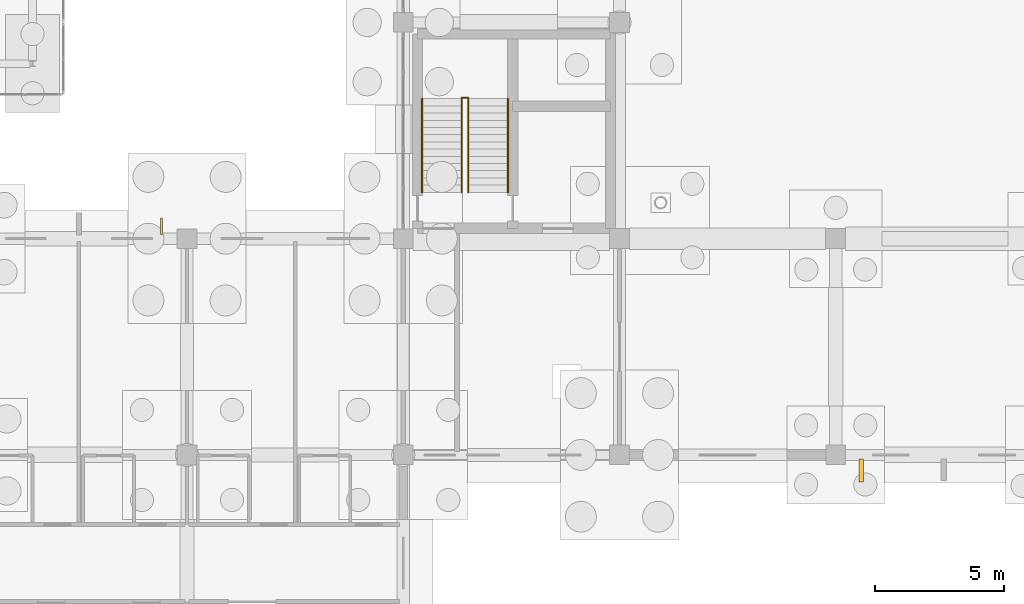
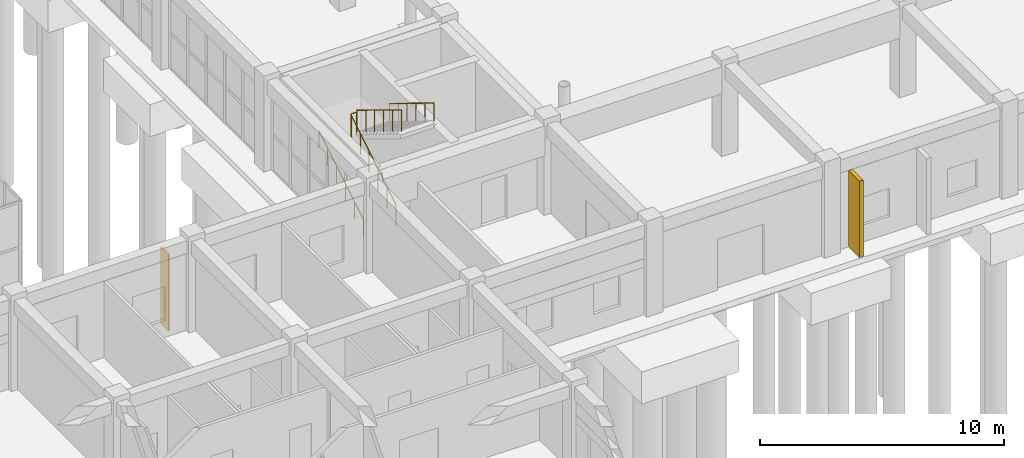
# One storey, part 188 of 192: 5 railings, 2 shading devices.
"""IFC4 building model written with IfcOpenShell, lengths in metres."""

from ifc_helpers import new_model, si_unit, direction, frame, origin, origin_2d, place, context, subcontext, project, spatial, rectangle, circle, extrude, material, type_object, element, save


model = new_model("IFC4")

# Units and contexts
model_context = context("Model", 3, precision=1e-05, world=origin(), true_north=direction((0.0, 1.0)))
body_context = subcontext(model_context, "Body", "Model", "MODEL_VIEW")
ifc_project = project(units=[si_unit("LENGTHUNIT", "METRE"), si_unit("AREAUNIT", "SQUARE_METRE"), si_unit("VOLUMEUNIT", "CUBIC_METRE"), si_unit("PLANEANGLEUNIT", "RADIAN"), si_unit("MASSUNIT", "GRAM", prefix="KILO")], contexts=[model_context])

# Site, building, storey
site_placement = place(None, origin())
site = spatial("IfcSite", under=ifc_project, at=site_placement, CompositionType="ELEMENT")
building_placement = place(site_placement, origin())
building = spatial("IfcBuilding", under=site, at=building_placement, Name="Trelvath General Hospital", CompositionType="ELEMENT")
storey_placement = place(building_placement, origin())
storey = spatial("IfcBuildingStorey", under=building, at=storey_placement, Name="L00", CompositionType="ELEMENT", Elevation=0.0)

# Shading device
ifc_material_1 = material(Name="Precast concrete C40/50", Category="concrete")
shading_device_type_1 = type_object("IfcShadingDeviceType", Name="BriseSoleil PrecastFin900", PredefinedType="JALOUSIE", material=ifc_material_1)
shading_device_1_placement = place(storey_placement, frame((152.18701171875, 16.195068359375, 0.0), z_axis=(0.0, 0.0, 1.0), x_axis=(0.0, -1.0, 0.0)))
element("IfcShadingDevice", 1, at=shading_device_1_placement, inside=storey, type_object=shading_device_type_1, Name="Solar Brise-Soleil Screen L00-15", PredefinedType="JALOUSIE", context=body_context, shape_type="SweptSolid", body=[
    extrude(rectangle(XDim=0.89990234375, YDim=0.179931640625, at=origin_2d()), origin(), (0.0, 0.0, 1.0), 3.820068359375),
])

# Railings
ifc_material_2 = material(Name="Architectural painted steel", Category="steel")
railing_type_1 = type_object("IfcRailingType", Name="Guardrail Terrace1150", PredefinedType="GUARDRAIL", material=ifc_material_2)
railing_1_placement = place(storey_placement, frame((136.929931640625, 30.639892578125, 2.5712890625)))
element("IfcRailing", 2, at=railing_1_placement, inside=storey, type_object=railing_type_1, Name="Stair Rail ST7 L00 F2 L 230", PredefinedType="GUARDRAIL", context=body_context, shape_type="SweptSolid", body=[
    extrude(circle(Radius=0.02392578125, at=origin_2d()), frame((0.0, 0.0, 1.076171875), z_axis=(0.0, -0.852824790078, 0.522197163366), x_axis=(1.0, 0.0, 0.0)), (0.0, 0.0, 1.0), 4.26806640625),
    extrude(circle(Radius=0.02099609375, at=origin_2d()), origin(), (0.0, 0.0, 1.0), 1.050048828125),
    extrude(circle(Radius=0.02099609375, at=origin_2d()), frame((0.0, -0.72802734375, 0.44580078125)), (0.0, 0.0, 1.0), 1.050048828125),
    extrude(circle(Radius=0.02099609375, at=origin_2d()), frame((0.0, -1.4560546875, 0.8916015625)), (0.0, 0.0, 1.0), 1.050048828125),
    extrude(circle(Radius=0.02099609375, at=origin_2d()), frame((0.0, -2.183837890625, 1.337158203125)), (0.0, 0.0, 1.0), 1.050048828125),
    extrude(circle(Radius=0.02099609375, at=origin_2d()), frame((0.0, -2.911865234375, 1.782958984375)), (0.0, 0.0, 1.0), 1.050048828125),
    extrude(circle(Radius=0.02099609375, at=origin_2d()), frame((0.0, -3.639892578125, 2.228759765625)), (0.0, 0.0, 1.0), 1.050048828125),
])
railing_2_placement = place(storey_placement, frame((136.669921875, 27.0, 0.17138671875)))
element("IfcRailing", 3, at=railing_2_placement, inside=storey, type_object=railing_type_1, Name="Stair Rail ST7 L00 F1 R 231", PredefinedType="GUARDRAIL", context=body_context, shape_type="SweptSolid", body=[
    extrude(circle(Radius=0.02392578125, at=origin_2d()), frame((0.0, 0.0, 1.076171875), z_axis=(0.0, 0.852850264322, 0.5221555579), x_axis=(-1.0, 0.0, 0.0)), (0.0, 0.0, 1.0), 4.267822265625),
    extrude(circle(Radius=0.02099609375, at=origin_2d()), origin(), (0.0, 0.0, 1.0), 1.050048828125),
    extrude(circle(Radius=0.02099609375, at=origin_2d()), frame((0.0, 0.72802734375, 0.44580078125)), (0.0, 0.0, 1.0), 1.050048828125),
    extrude(circle(Radius=0.02099609375, at=origin_2d()), frame((0.0, 1.4560546875, 0.891357421875)), (0.0, 0.0, 1.0), 1.050048828125),
    extrude(circle(Radius=0.02099609375, at=origin_2d()), frame((0.0, 2.183837890625, 1.337158203125)), (0.0, 0.0, 1.0), 1.050048828125),
    extrude(circle(Radius=0.02099609375, at=origin_2d()), frame((0.0, 2.911865234375, 1.78271484375)), (0.0, 0.0, 1.0), 1.050048828125),
    extrude(circle(Radius=0.02099609375, at=origin_2d()), frame((0.0, 3.639892578125, 2.228515625)), (0.0, 0.0, 1.0), 1.050048828125),
])
railing_3_placement = place(storey_placement, frame((136.669921875, 30.679931640625, 2.39990234375)))
element("IfcRailing", 4, at=railing_3_placement, inside=storey, type_object=railing_type_1, Name="Half-Landing Well Guard ST7 L00 233", PredefinedType="GUARDRAIL", context=body_context, shape_type="SweptSolid", body=[
    extrude(circle(Radius=0.02392578125, at=origin_2d()), frame((0.0, 0.0, 1.1259765625), z_axis=(1.0, 0.0, 0.0), x_axis=(0.0, 1.0, 0.0)), (0.0, 0.0, 1.0), 0.260009765625),
    extrude(circle(Radius=0.02099609375, at=origin_2d()), origin(), (0.0, 0.0, 1.0), 1.099853515625),
    extrude(circle(Radius=0.02099609375, at=origin_2d()), frame((0.260009765625, 0.0, 0.0)), (0.0, 0.0, 1.0), 1.099853515625),
])
ifc_material_3 = material(Name="Brushed stainless steel", Category="steel")
railing_type_2 = type_object("IfcRailingType", Name="Handrail Stair900", PredefinedType="HANDRAIL", material=ifc_material_3)
railing_4_placement = place(storey_placement, frame((135.1298828125, 27.0, 0.17138671875)))
element("IfcRailing", 5, at=railing_4_placement, inside=storey, type_object=railing_type_2, Name="Stair Rail ST7 L00 F1 L 229", PredefinedType="HANDRAIL", context=body_context, shape_type="SweptSolid", body=[
    extrude(circle(Radius=0.02392578125, at=origin_2d()), frame((0.0, 0.0, 0.8759765625), z_axis=(0.0, 0.852850264322, 0.5221555579), x_axis=(-1.0, 0.0, 0.0)), (0.0, 0.0, 1.0), 4.267822265625),
    extrude(circle(Radius=0.02099609375, at=origin_2d()), origin(), (0.0, 0.0, 1.0), 0.849853515625),
    extrude(circle(Radius=0.02099609375, at=origin_2d()), frame((0.0, 0.72802734375, 0.44580078125)), (0.0, 0.0, 1.0), 0.849853515625),
    extrude(circle(Radius=0.02099609375, at=origin_2d()), frame((0.0, 1.4560546875, 0.891357421875)), (0.0, 0.0, 1.0), 0.849853515625),
    extrude(circle(Radius=0.02099609375, at=origin_2d()), frame((0.0, 2.183837890625, 1.337158203125)), (0.0, 0.0, 1.0), 0.849853515625),
    extrude(circle(Radius=0.02099609375, at=origin_2d()), frame((0.0, 2.911865234375, 1.78271484375)), (0.0, 0.0, 1.0), 0.849853515625),
    extrude(circle(Radius=0.02099609375, at=origin_2d()), frame((0.0, 3.639892578125, 2.228515625)), (0.0, 0.0, 1.0), 0.849853515625),
])
railing_5_placement = place(storey_placement, frame((138.469970703125, 30.639892578125, 2.5712890625)))
element("IfcRailing", 6, at=railing_5_placement, inside=storey, type_object=railing_type_2, Name="Stair Rail ST7 L00 F2 R 232", PredefinedType="HANDRAIL", context=body_context, shape_type="SweptSolid", body=[
    extrude(circle(Radius=0.02392578125, at=origin_2d()), frame((0.0, 0.0, 0.8759765625), z_axis=(0.0, -0.852824790078, 0.522197163366), x_axis=(1.0, 0.0, 0.0)), (0.0, 0.0, 1.0), 4.26806640625),
    extrude(circle(Radius=0.02099609375, at=origin_2d()), origin(), (0.0, 0.0, 1.0), 0.849853515625),
    extrude(circle(Radius=0.02099609375, at=origin_2d()), frame((0.0, -0.72802734375, 0.44580078125)), (0.0, 0.0, 1.0), 0.849853515625),
    extrude(circle(Radius=0.02099609375, at=origin_2d()), frame((0.0, -1.4560546875, 0.8916015625)), (0.0, 0.0, 1.0), 0.849853515625),
    extrude(circle(Radius=0.02099609375, at=origin_2d()), frame((0.0, -2.183837890625, 1.337158203125)), (0.0, 0.0, 1.0), 0.849853515625),
    extrude(circle(Radius=0.02099609375, at=origin_2d()), frame((0.0, -2.911865234375, 1.782958984375)), (0.0, 0.0, 1.0), 0.849853515625),
    extrude(circle(Radius=0.02099609375, at=origin_2d()), frame((0.0, -3.639892578125, 2.228759765625)), (0.0, 0.0, 1.0), 0.849853515625),
])

# Shading device
ifc_material_4 = material(Name="Anodised aluminium", Category="aluminium")
shading_device_type_2 = type_object("IfcShadingDeviceType", Name="SolarScreen PerforatedAlu", PredefinedType="JALOUSIE", material=ifc_material_4)
shading_device_2_placement = place(storey_placement, frame((125.012939453125, 25.679931640625, 0.0), z_axis=(0.0, 0.0, 1.0), x_axis=(0.0, 1.0, 0.0)))
element("IfcShadingDevice", 7, at=shading_device_2_placement, inside=storey, type_object=shading_device_type_2, Name="Solar Brise-Soleil Screen L00-13", PredefinedType="JALOUSIE", context=body_context, shape_type="SweptSolid", body=[
    extrude(rectangle(XDim=0.64990234375, YDim=0.080078125, at=origin_2d()), origin(), (0.0, 0.0, 1.0), 3.820068359375),
])

save(model, "model.ifc")
